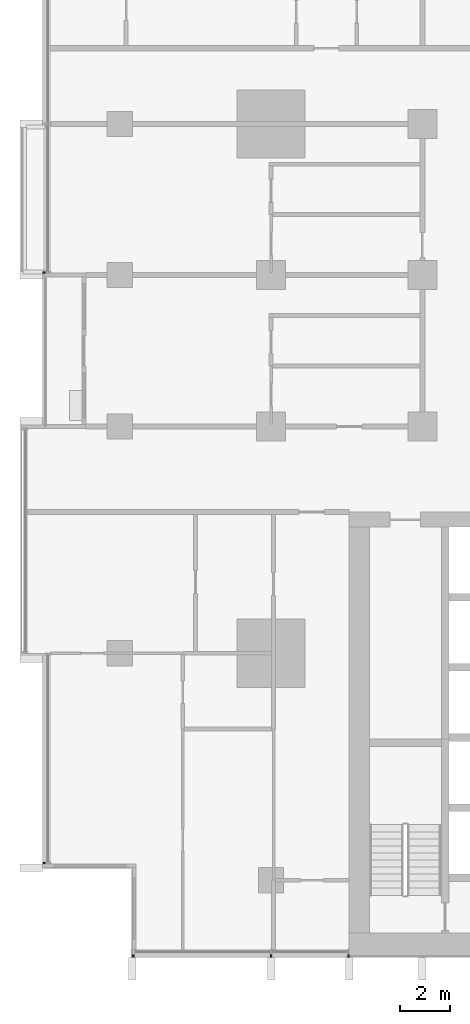
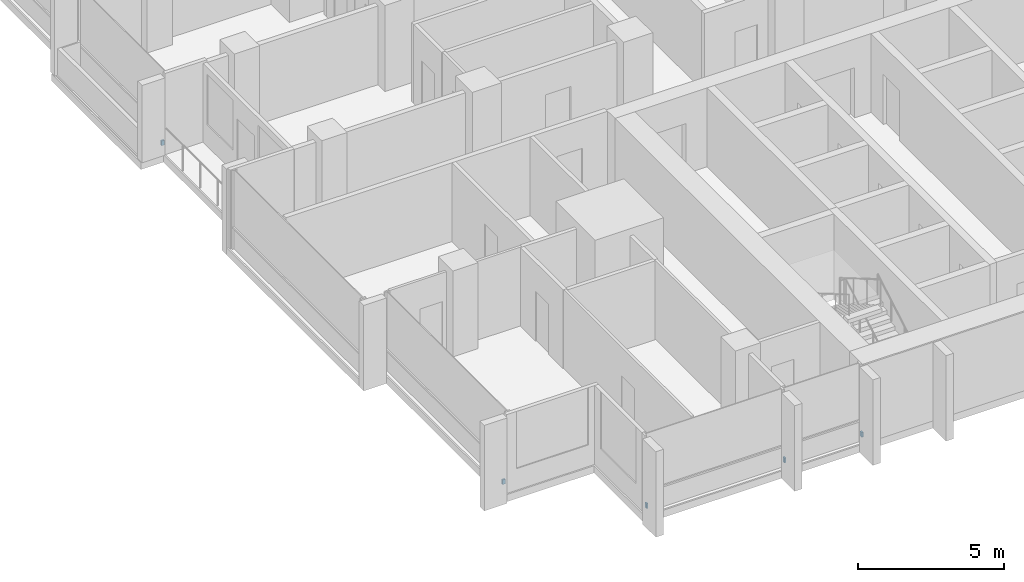
# One storey, part 13 of 17: 5 discrete accessories.
"""IFC4 building model written with IfcOpenShell, lengths in metres."""

from ifc_helpers import new_model, si_unit, direction, frame, origin, origin_2d, place, context, subcontext, project, spatial, rectangle, extrude, material, type_object, element, save


model = new_model("IFC4")

# Units and contexts
model_context = context("Model", 3, precision=1e-05, world=origin(), true_north=direction((0.0, 1.0)))
body_context = subcontext(model_context, "Body", "Model", "MODEL_VIEW")
ifc_project = project(units=[si_unit("LENGTHUNIT", "METRE"), si_unit("AREAUNIT", "SQUARE_METRE"), si_unit("VOLUMEUNIT", "CUBIC_METRE"), si_unit("PLANEANGLEUNIT", "RADIAN"), si_unit("MASSUNIT", "GRAM", prefix="KILO")], contexts=[model_context])

# Site, building, storey
site_placement = place(None, origin())
site = spatial("IfcSite", under=ifc_project, at=site_placement, CompositionType="ELEMENT")
building_placement = place(site_placement, origin())
building = spatial("IfcBuilding", under=site, at=building_placement, Name="Finial Court Residences", CompositionType="ELEMENT")
storey_placement = place(building_placement, frame((0.0, 0.0, 113.5)))
storey = spatial("IfcBuildingStorey", under=building, at=storey_placement, Name="L28", CompositionType="ELEMENT", Elevation=113.5)

# Discrete accessories
ifc_material = material(Name="Stainless steel 316", Category="steel")
discrete_accessory_type = type_object("IfcDiscreteAccessoryType", Name="Fin bracket, stainless steel 65 x 110 x 200", PredefinedType="BRACKET", material=ifc_material)
for number, where, z_axis, x_axis, name in (
    (1, (-21.967529296875, -25.5048828125, 0.2998046875), (0.0, 0.0, 1.0), (1.0, 0.0, 0.0), "E-L28-FIN-S16-BRK"),
    (2, (-16.5, -25.5048828125, 0.2998046875), (0.0, 0.0, 1.0), (1.0, 0.0, 0.0), "E-L28-FIN-S17-BRK"),
    (3, (-13.4326171875, -25.5048828125, 0.2998046875), (0.0, 0.0, 1.0), (1.0, 0.0, 0.0), "E-L28-FIN-S18-BRK"),
):
    element("IfcDiscreteAccessory", number, at=place(storey_placement, frame(where, z_axis=z_axis, x_axis=x_axis)), inside=storey, type_object=discrete_accessory_type, Name=name, PredefinedType="BRACKET", context=body_context, shape_type="SweptSolid", body=[
        extrude(rectangle(XDim=0.06494140625, YDim=0.110107421875, at=origin_2d()), origin(), (0.0, 0.0, 1.0), 0.199951171875),
    ])
for number, where, z_axis, x_axis, name in (
    (4, (-25.5048828125, -21.8173828125, 0.2998046875), (0.0, 0.0, 1.0), (1.0, 0.0, 0.0), "E-L28-FIN-W26-BRK"),
    (5, (-25.5048828125, 1.607421875, 0.2998046875), (0.0, 0.0, 1.0), (1.0, 0.0, 0.0), "E-L28-FIN-W29-BRK"),
):
    element("IfcDiscreteAccessory", number, at=place(storey_placement, frame(where, z_axis=z_axis, x_axis=x_axis)), inside=storey, type_object=discrete_accessory_type, Name=name, PredefinedType="BRACKET", context=body_context, shape_type="SweptSolid", body=[
        extrude(rectangle(XDim=0.110107421875, YDim=0.06494140625, at=origin_2d()), origin(), (0.0, 0.0, 1.0), 0.199951171875),
    ])

save(model, "model.ifc")
